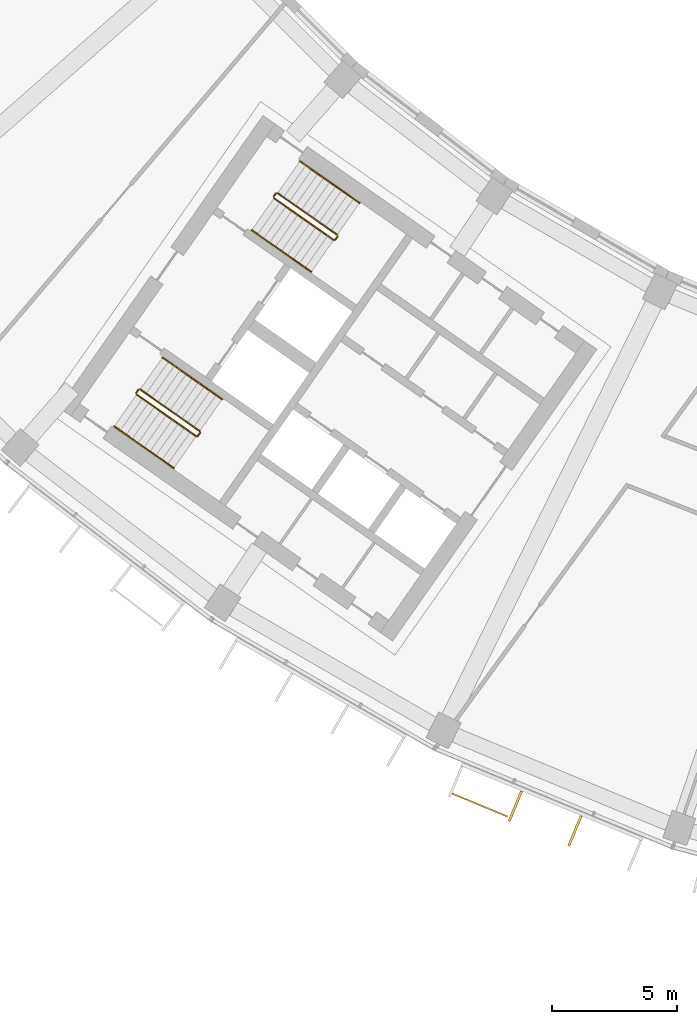
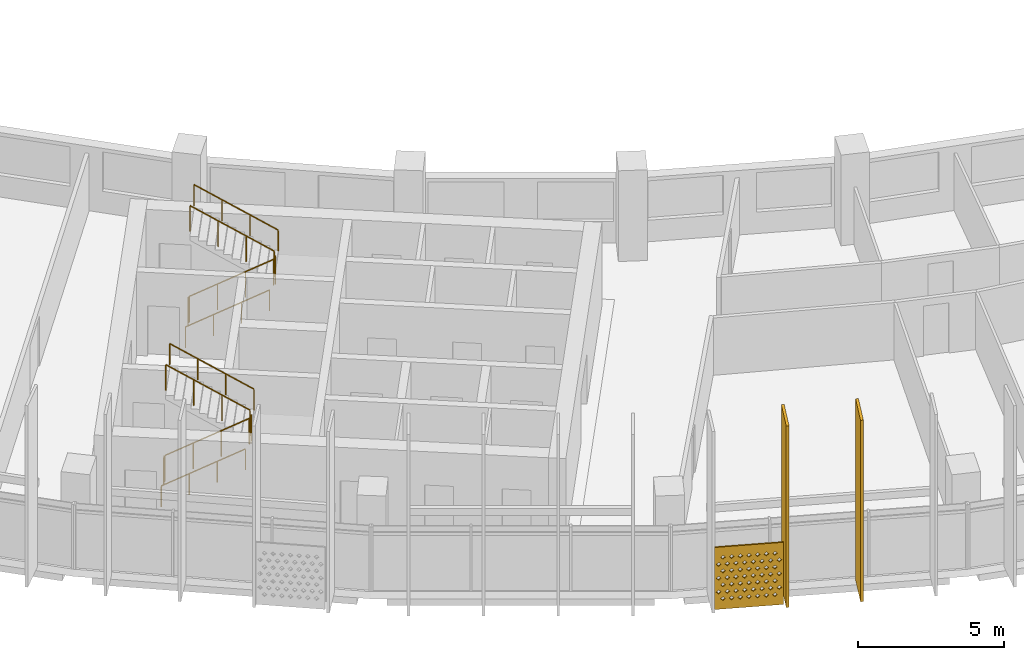
# One storey, part 24 of 28: 10 railings, 3 shading devices.
"""IFC4 building model written with IfcOpenShell, lengths in metres."""

from ifc_helpers import new_model, si_unit, direction, frame, origin, origin_2d, place, context, subcontext, project, spatial, polyline, rectangle, circle, outline, extrude, material, material_profile, profile_set, type_object, element, save


model = new_model("IFC4")

# Units and contexts
model_context = context("Model", 3, precision=1e-05, world=origin(), true_north=direction((0.0, 1.0)))
body_context = subcontext(model_context, "Body", "Model", "MODEL_VIEW")
ifc_project = project(units=[si_unit("LENGTHUNIT", "METRE"), si_unit("AREAUNIT", "SQUARE_METRE"), si_unit("VOLUMEUNIT", "CUBIC_METRE"), si_unit("PLANEANGLEUNIT", "RADIAN"), si_unit("MASSUNIT", "GRAM", prefix="KILO")], contexts=[model_context])

# Site, building, storey
site_placement = place(None, origin())
site = spatial("IfcSite", under=ifc_project, at=site_placement, CompositionType="ELEMENT")
building_placement = place(site_placement, origin())
building = spatial("IfcBuilding", under=site, at=building_placement, Name="Qamariyya Broadcast Tower", CompositionType="ELEMENT")
storey_placement = place(building_placement, frame((0.0, 0.0, 218.89990234375)))
storey = spatial("IfcBuildingStorey", under=building, at=storey_placement, Name="L52", CompositionType="ELEMENT", Elevation=218.89990234375)

# Shading device
ifc_material_1 = material(Name="Perforated glazed terracotta", Category="masonry")
ifc_material_profile_1 = material_profile(ifc_material_1, outline(polyline([(-1.199951171875, -1.300048828125), (1.199951171875, -1.300048828125), (1.199951171875, 1.300048828125), (-1.199951171875, 1.300048828125), (-1.199951171875, -1.300048828125)]), holes=[polyline([(-0.81494140625, -0.86669921875), (-0.89990234375, -0.78173828125), (-0.985107421875, -0.86669921875), (-0.89990234375, -0.95166015625), (-0.81494140625, -0.86669921875)]), polyline([(-0.514892578125, -0.86669921875), (-0.60009765625, -0.78173828125), (-0.68505859375, -0.86669921875), (-0.60009765625, -0.95166015625), (-0.514892578125, -0.86669921875)]), polyline([(-0.215087890625, -0.86669921875), (-0.300048828125, -0.78173828125), (-0.385009765625, -0.86669921875), (-0.300048828125, -0.95166015625), (-0.215087890625, -0.86669921875)]), polyline([(0.0849609375, -0.86669921875), (0.0, -0.78173828125), (-0.0849609375, -0.86669921875), (0.0, -0.95166015625), (0.0849609375, -0.86669921875)]), polyline([(0.385009765625, -0.86669921875), (0.300048828125, -0.78173828125), (0.215087890625, -0.86669921875), (0.300048828125, -0.95166015625), (0.385009765625, -0.86669921875)]), polyline([(0.68505859375, -0.86669921875), (0.60009765625, -0.78173828125), (0.514892578125, -0.86669921875), (0.60009765625, -0.95166015625), (0.68505859375, -0.86669921875)]), polyline([(0.985107421875, -0.86669921875), (0.89990234375, -0.78173828125), (0.81494140625, -0.86669921875), (0.89990234375, -0.95166015625), (0.985107421875, -0.86669921875)]), polyline([(-0.965087890625, -0.577880859375), (-1.050048828125, -0.49267578125), (-1.135009765625, -0.577880859375), (-1.050048828125, -0.662841796875), (-0.965087890625, -0.577880859375)]), polyline([(-0.6650390625, -0.577880859375), (-0.75, -0.49267578125), (-0.8349609375, -0.577880859375), (-0.75, -0.662841796875), (-0.6650390625, -0.577880859375)]), polyline([(-0.364990234375, -0.577880859375), (-0.449951171875, -0.49267578125), (-0.534912109375, -0.577880859375), (-0.449951171875, -0.662841796875), (-0.364990234375, -0.577880859375)]), polyline([(-0.06494140625, -0.577880859375), (-0.14990234375, -0.49267578125), (-0.235107421875, -0.577880859375), (-0.14990234375, -0.662841796875), (-0.06494140625, -0.577880859375)]), polyline([(0.235107421875, -0.577880859375), (0.14990234375, -0.49267578125), (0.06494140625, -0.577880859375), (0.14990234375, -0.662841796875), (0.235107421875, -0.577880859375)]), polyline([(0.534912109375, -0.577880859375), (0.449951171875, -0.49267578125), (0.364990234375, -0.577880859375), (0.449951171875, -0.662841796875), (0.534912109375, -0.577880859375)]), polyline([(0.8349609375, -0.577880859375), (0.75, -0.49267578125), (0.6650390625, -0.577880859375), (0.75, -0.662841796875), (0.8349609375, -0.577880859375)]), polyline([(1.135009765625, -0.577880859375), (1.050048828125, -0.49267578125), (0.965087890625, -0.577880859375), (1.050048828125, -0.662841796875), (1.135009765625, -0.577880859375)]), polyline([(-0.81494140625, -0.288818359375), (-0.89990234375, -0.203857421875), (-0.985107421875, -0.288818359375), (-0.89990234375, -0.373779296875), (-0.81494140625, -0.288818359375)]), polyline([(-0.514892578125, -0.288818359375), (-0.60009765625, -0.203857421875), (-0.68505859375, -0.288818359375), (-0.60009765625, -0.373779296875), (-0.514892578125, -0.288818359375)]), polyline([(-0.215087890625, -0.288818359375), (-0.300048828125, -0.203857421875), (-0.385009765625, -0.288818359375), (-0.300048828125, -0.373779296875), (-0.215087890625, -0.288818359375)]), polyline([(0.0849609375, -0.288818359375), (0.0, -0.203857421875), (-0.0849609375, -0.288818359375), (0.0, -0.373779296875), (0.0849609375, -0.288818359375)]), polyline([(0.385009765625, -0.288818359375), (0.300048828125, -0.203857421875), (0.215087890625, -0.288818359375), (0.300048828125, -0.373779296875), (0.385009765625, -0.288818359375)]), polyline([(0.68505859375, -0.288818359375), (0.60009765625, -0.203857421875), (0.514892578125, -0.288818359375), (0.60009765625, -0.373779296875), (0.68505859375, -0.288818359375)]), polyline([(0.985107421875, -0.288818359375), (0.89990234375, -0.203857421875), (0.81494140625, -0.288818359375), (0.89990234375, -0.373779296875), (0.985107421875, -0.288818359375)]), polyline([(-0.965087890625, 0.0), (-1.050048828125, 0.0849609375), (-1.135009765625, 0.0), (-1.050048828125, -0.0849609375), (-0.965087890625, 0.0)]), polyline([(-0.6650390625, 0.0), (-0.75, 0.0849609375), (-0.8349609375, 0.0), (-0.75, -0.0849609375), (-0.6650390625, 0.0)]), polyline([(-0.364990234375, 0.0), (-0.449951171875, 0.0849609375), (-0.534912109375, 0.0), (-0.449951171875, -0.0849609375), (-0.364990234375, 0.0)]), polyline([(-0.06494140625, 0.0), (-0.14990234375, 0.0849609375), (-0.235107421875, 0.0), (-0.14990234375, -0.0849609375), (-0.06494140625, 0.0)]), polyline([(0.235107421875, 0.0), (0.14990234375, 0.0849609375), (0.06494140625, 0.0), (0.14990234375, -0.0849609375), (0.235107421875, 0.0)]), polyline([(0.534912109375, 0.0), (0.449951171875, 0.0849609375), (0.364990234375, 0.0), (0.449951171875, -0.0849609375), (0.534912109375, 0.0)]), polyline([(0.8349609375, 0.0), (0.75, 0.0849609375), (0.6650390625, 0.0), (0.75, -0.0849609375), (0.8349609375, 0.0)]), polyline([(1.135009765625, 0.0), (1.050048828125, 0.0849609375), (0.965087890625, 0.0), (1.050048828125, -0.0849609375), (1.135009765625, 0.0)]), polyline([(-0.81494140625, 0.288818359375), (-0.89990234375, 0.373779296875), (-0.985107421875, 0.288818359375), (-0.89990234375, 0.203857421875), (-0.81494140625, 0.288818359375)]), polyline([(-0.514892578125, 0.288818359375), (-0.60009765625, 0.373779296875), (-0.68505859375, 0.288818359375), (-0.60009765625, 0.203857421875), (-0.514892578125, 0.288818359375)]), polyline([(-0.215087890625, 0.288818359375), (-0.300048828125, 0.373779296875), (-0.385009765625, 0.288818359375), (-0.300048828125, 0.203857421875), (-0.215087890625, 0.288818359375)]), polyline([(0.0849609375, 0.288818359375), (0.0, 0.373779296875), (-0.0849609375, 0.288818359375), (0.0, 0.203857421875), (0.0849609375, 0.288818359375)]), polyline([(0.385009765625, 0.288818359375), (0.300048828125, 0.373779296875), (0.215087890625, 0.288818359375), (0.300048828125, 0.203857421875), (0.385009765625, 0.288818359375)]), polyline([(0.68505859375, 0.288818359375), (0.60009765625, 0.373779296875), (0.514892578125, 0.288818359375), (0.60009765625, 0.203857421875), (0.68505859375, 0.288818359375)]), polyline([(0.985107421875, 0.288818359375), (0.89990234375, 0.373779296875), (0.81494140625, 0.288818359375), (0.89990234375, 0.203857421875), (0.985107421875, 0.288818359375)]), polyline([(-0.965087890625, 0.577880859375), (-1.050048828125, 0.662841796875), (-1.135009765625, 0.577880859375), (-1.050048828125, 0.49267578125), (-0.965087890625, 0.577880859375)]), polyline([(-0.6650390625, 0.577880859375), (-0.75, 0.662841796875), (-0.8349609375, 0.577880859375), (-0.75, 0.49267578125), (-0.6650390625, 0.577880859375)]), polyline([(-0.364990234375, 0.577880859375), (-0.449951171875, 0.662841796875), (-0.534912109375, 0.577880859375), (-0.449951171875, 0.49267578125), (-0.364990234375, 0.577880859375)]), polyline([(-0.06494140625, 0.577880859375), (-0.14990234375, 0.662841796875), (-0.235107421875, 0.577880859375), (-0.14990234375, 0.49267578125), (-0.06494140625, 0.577880859375)]), polyline([(0.235107421875, 0.577880859375), (0.14990234375, 0.662841796875), (0.06494140625, 0.577880859375), (0.14990234375, 0.49267578125), (0.235107421875, 0.577880859375)]), polyline([(0.534912109375, 0.577880859375), (0.449951171875, 0.662841796875), (0.364990234375, 0.577880859375), (0.449951171875, 0.49267578125), (0.534912109375, 0.577880859375)]), polyline([(0.8349609375, 0.577880859375), (0.75, 0.662841796875), (0.6650390625, 0.577880859375), (0.75, 0.49267578125), (0.8349609375, 0.577880859375)]), polyline([(1.135009765625, 0.577880859375), (1.050048828125, 0.662841796875), (0.965087890625, 0.577880859375), (1.050048828125, 0.49267578125), (1.135009765625, 0.577880859375)]), polyline([(-0.81494140625, 0.86669921875), (-0.89990234375, 0.95166015625), (-0.985107421875, 0.86669921875), (-0.89990234375, 0.78173828125), (-0.81494140625, 0.86669921875)]), polyline([(-0.514892578125, 0.86669921875), (-0.60009765625, 0.95166015625), (-0.68505859375, 0.86669921875), (-0.60009765625, 0.78173828125), (-0.514892578125, 0.86669921875)]), polyline([(-0.215087890625, 0.86669921875), (-0.300048828125, 0.95166015625), (-0.385009765625, 0.86669921875), (-0.300048828125, 0.78173828125), (-0.215087890625, 0.86669921875)]), polyline([(0.0849609375, 0.86669921875), (0.0, 0.95166015625), (-0.0849609375, 0.86669921875), (0.0, 0.78173828125), (0.0849609375, 0.86669921875)]), polyline([(0.385009765625, 0.86669921875), (0.300048828125, 0.95166015625), (0.215087890625, 0.86669921875), (0.300048828125, 0.78173828125), (0.385009765625, 0.86669921875)]), polyline([(0.68505859375, 0.86669921875), (0.60009765625, 0.95166015625), (0.514892578125, 0.86669921875), (0.60009765625, 0.78173828125), (0.68505859375, 0.86669921875)]), polyline([(0.985107421875, 0.86669921875), (0.89990234375, 0.95166015625), (0.81494140625, 0.86669921875), (0.89990234375, 0.78173828125), (0.985107421875, 0.86669921875)])]))
ifc_profile_set_1 = profile_set([ifc_material_profile_1], Name="Perforated glazed terracotta")
shading_device_type_1 = type_object("IfcShadingDeviceType", Name="Perforated terracotta screen 2400 x 2600", PredefinedType="USERDEFINED", material=ifc_profile_set_1)
shading_device_placement = place(storey_placement, frame((-32.928955078125, -72.682861328125, 1.35009765625), z_axis=(-0.382591441855, -0.923917630863, 0.0), x_axis=(0.923917630863, -0.382591441855, 0.0)))
element("IfcShadingDevice", 1, at=shading_device_placement, inside=storey, type_object=shading_device_type_1, Name="e-scr-L52-05-0", ObjectType="SCREEN", PredefinedType="USERDEFINED", context=body_context, shape_type="SweptSolid", body=[
    extrude(outline(polyline([(-1.199951171875, -1.300048828125), (1.199951171875, -1.300048828125), (1.199951171875, 1.300048828125), (-1.199951171875, 1.300048828125), (-1.199951171875, -1.300048828125)]), holes=[polyline([(-0.81494140625, -0.86669921875), (-0.89990234375, -0.78173828125), (-0.985107421875, -0.86669921875), (-0.89990234375, -0.95166015625), (-0.81494140625, -0.86669921875)]), polyline([(-0.514892578125, -0.86669921875), (-0.60009765625, -0.78173828125), (-0.68505859375, -0.86669921875), (-0.60009765625, -0.95166015625), (-0.514892578125, -0.86669921875)]), polyline([(-0.215087890625, -0.86669921875), (-0.300048828125, -0.78173828125), (-0.385009765625, -0.86669921875), (-0.300048828125, -0.95166015625), (-0.215087890625, -0.86669921875)]), polyline([(0.0849609375, -0.86669921875), (0.0, -0.78173828125), (-0.0849609375, -0.86669921875), (0.0, -0.95166015625), (0.0849609375, -0.86669921875)]), polyline([(0.385009765625, -0.86669921875), (0.300048828125, -0.78173828125), (0.215087890625, -0.86669921875), (0.300048828125, -0.95166015625), (0.385009765625, -0.86669921875)]), polyline([(0.68505859375, -0.86669921875), (0.60009765625, -0.78173828125), (0.514892578125, -0.86669921875), (0.60009765625, -0.95166015625), (0.68505859375, -0.86669921875)]), polyline([(0.985107421875, -0.86669921875), (0.89990234375, -0.78173828125), (0.81494140625, -0.86669921875), (0.89990234375, -0.95166015625), (0.985107421875, -0.86669921875)]), polyline([(-0.965087890625, -0.577880859375), (-1.050048828125, -0.49267578125), (-1.135009765625, -0.577880859375), (-1.050048828125, -0.662841796875), (-0.965087890625, -0.577880859375)]), polyline([(-0.6650390625, -0.577880859375), (-0.75, -0.49267578125), (-0.8349609375, -0.577880859375), (-0.75, -0.662841796875), (-0.6650390625, -0.577880859375)]), polyline([(-0.364990234375, -0.577880859375), (-0.449951171875, -0.49267578125), (-0.534912109375, -0.577880859375), (-0.449951171875, -0.662841796875), (-0.364990234375, -0.577880859375)]), polyline([(-0.06494140625, -0.577880859375), (-0.14990234375, -0.49267578125), (-0.235107421875, -0.577880859375), (-0.14990234375, -0.662841796875), (-0.06494140625, -0.577880859375)]), polyline([(0.235107421875, -0.577880859375), (0.14990234375, -0.49267578125), (0.06494140625, -0.577880859375), (0.14990234375, -0.662841796875), (0.235107421875, -0.577880859375)]), polyline([(0.534912109375, -0.577880859375), (0.449951171875, -0.49267578125), (0.364990234375, -0.577880859375), (0.449951171875, -0.662841796875), (0.534912109375, -0.577880859375)]), polyline([(0.8349609375, -0.577880859375), (0.75, -0.49267578125), (0.6650390625, -0.577880859375), (0.75, -0.662841796875), (0.8349609375, -0.577880859375)]), polyline([(1.135009765625, -0.577880859375), (1.050048828125, -0.49267578125), (0.965087890625, -0.577880859375), (1.050048828125, -0.662841796875), (1.135009765625, -0.577880859375)]), polyline([(-0.81494140625, -0.288818359375), (-0.89990234375, -0.203857421875), (-0.985107421875, -0.288818359375), (-0.89990234375, -0.373779296875), (-0.81494140625, -0.288818359375)]), polyline([(-0.514892578125, -0.288818359375), (-0.60009765625, -0.203857421875), (-0.68505859375, -0.288818359375), (-0.60009765625, -0.373779296875), (-0.514892578125, -0.288818359375)]), polyline([(-0.215087890625, -0.288818359375), (-0.300048828125, -0.203857421875), (-0.385009765625, -0.288818359375), (-0.300048828125, -0.373779296875), (-0.215087890625, -0.288818359375)]), polyline([(0.0849609375, -0.288818359375), (0.0, -0.203857421875), (-0.0849609375, -0.288818359375), (0.0, -0.373779296875), (0.0849609375, -0.288818359375)]), polyline([(0.385009765625, -0.288818359375), (0.300048828125, -0.203857421875), (0.215087890625, -0.288818359375), (0.300048828125, -0.373779296875), (0.385009765625, -0.288818359375)]), polyline([(0.68505859375, -0.288818359375), (0.60009765625, -0.203857421875), (0.514892578125, -0.288818359375), (0.60009765625, -0.373779296875), (0.68505859375, -0.288818359375)]), polyline([(0.985107421875, -0.288818359375), (0.89990234375, -0.203857421875), (0.81494140625, -0.288818359375), (0.89990234375, -0.373779296875), (0.985107421875, -0.288818359375)]), polyline([(-0.965087890625, 0.0), (-1.050048828125, 0.0849609375), (-1.135009765625, 0.0), (-1.050048828125, -0.0849609375), (-0.965087890625, 0.0)]), polyline([(-0.6650390625, 0.0), (-0.75, 0.0849609375), (-0.8349609375, 0.0), (-0.75, -0.0849609375), (-0.6650390625, 0.0)]), polyline([(-0.364990234375, 0.0), (-0.449951171875, 0.0849609375), (-0.534912109375, 0.0), (-0.449951171875, -0.0849609375), (-0.364990234375, 0.0)]), polyline([(-0.06494140625, 0.0), (-0.14990234375, 0.0849609375), (-0.235107421875, 0.0), (-0.14990234375, -0.0849609375), (-0.06494140625, 0.0)]), polyline([(0.235107421875, 0.0), (0.14990234375, 0.0849609375), (0.06494140625, 0.0), (0.14990234375, -0.0849609375), (0.235107421875, 0.0)]), polyline([(0.534912109375, 0.0), (0.449951171875, 0.0849609375), (0.364990234375, 0.0), (0.449951171875, -0.0849609375), (0.534912109375, 0.0)]), polyline([(0.8349609375, 0.0), (0.75, 0.0849609375), (0.6650390625, 0.0), (0.75, -0.0849609375), (0.8349609375, 0.0)]), polyline([(1.135009765625, 0.0), (1.050048828125, 0.0849609375), (0.965087890625, 0.0), (1.050048828125, -0.0849609375), (1.135009765625, 0.0)]), polyline([(-0.81494140625, 0.288818359375), (-0.89990234375, 0.373779296875), (-0.985107421875, 0.288818359375), (-0.89990234375, 0.203857421875), (-0.81494140625, 0.288818359375)]), polyline([(-0.514892578125, 0.288818359375), (-0.60009765625, 0.373779296875), (-0.68505859375, 0.288818359375), (-0.60009765625, 0.203857421875), (-0.514892578125, 0.288818359375)]), polyline([(-0.215087890625, 0.288818359375), (-0.300048828125, 0.373779296875), (-0.385009765625, 0.288818359375), (-0.300048828125, 0.203857421875), (-0.215087890625, 0.288818359375)]), polyline([(0.0849609375, 0.288818359375), (0.0, 0.373779296875), (-0.0849609375, 0.288818359375), (0.0, 0.203857421875), (0.0849609375, 0.288818359375)]), polyline([(0.385009765625, 0.288818359375), (0.300048828125, 0.373779296875), (0.215087890625, 0.288818359375), (0.300048828125, 0.203857421875), (0.385009765625, 0.288818359375)]), polyline([(0.68505859375, 0.288818359375), (0.60009765625, 0.373779296875), (0.514892578125, 0.288818359375), (0.60009765625, 0.203857421875), (0.68505859375, 0.288818359375)]), polyline([(0.985107421875, 0.288818359375), (0.89990234375, 0.373779296875), (0.81494140625, 0.288818359375), (0.89990234375, 0.203857421875), (0.985107421875, 0.288818359375)]), polyline([(-0.965087890625, 0.577880859375), (-1.050048828125, 0.662841796875), (-1.135009765625, 0.577880859375), (-1.050048828125, 0.49267578125), (-0.965087890625, 0.577880859375)]), polyline([(-0.6650390625, 0.577880859375), (-0.75, 0.662841796875), (-0.8349609375, 0.577880859375), (-0.75, 0.49267578125), (-0.6650390625, 0.577880859375)]), polyline([(-0.364990234375, 0.577880859375), (-0.449951171875, 0.662841796875), (-0.534912109375, 0.577880859375), (-0.449951171875, 0.49267578125), (-0.364990234375, 0.577880859375)]), polyline([(-0.06494140625, 0.577880859375), (-0.14990234375, 0.662841796875), (-0.235107421875, 0.577880859375), (-0.14990234375, 0.49267578125), (-0.06494140625, 0.577880859375)]), polyline([(0.235107421875, 0.577880859375), (0.14990234375, 0.662841796875), (0.06494140625, 0.577880859375), (0.14990234375, 0.49267578125), (0.235107421875, 0.577880859375)]), polyline([(0.534912109375, 0.577880859375), (0.449951171875, 0.662841796875), (0.364990234375, 0.577880859375), (0.449951171875, 0.49267578125), (0.534912109375, 0.577880859375)]), polyline([(0.8349609375, 0.577880859375), (0.75, 0.662841796875), (0.6650390625, 0.577880859375), (0.75, 0.49267578125), (0.8349609375, 0.577880859375)]), polyline([(1.135009765625, 0.577880859375), (1.050048828125, 0.662841796875), (0.965087890625, 0.577880859375), (1.050048828125, 0.49267578125), (1.135009765625, 0.577880859375)]), polyline([(-0.81494140625, 0.86669921875), (-0.89990234375, 0.95166015625), (-0.985107421875, 0.86669921875), (-0.89990234375, 0.78173828125), (-0.81494140625, 0.86669921875)]), polyline([(-0.514892578125, 0.86669921875), (-0.60009765625, 0.95166015625), (-0.68505859375, 0.86669921875), (-0.60009765625, 0.78173828125), (-0.514892578125, 0.86669921875)]), polyline([(-0.215087890625, 0.86669921875), (-0.300048828125, 0.95166015625), (-0.385009765625, 0.86669921875), (-0.300048828125, 0.78173828125), (-0.215087890625, 0.86669921875)]), polyline([(0.0849609375, 0.86669921875), (0.0, 0.95166015625), (-0.0849609375, 0.86669921875), (0.0, 0.78173828125), (0.0849609375, 0.86669921875)]), polyline([(0.385009765625, 0.86669921875), (0.300048828125, 0.95166015625), (0.215087890625, 0.86669921875), (0.300048828125, 0.78173828125), (0.385009765625, 0.86669921875)]), polyline([(0.68505859375, 0.86669921875), (0.60009765625, 0.95166015625), (0.514892578125, 0.86669921875), (0.60009765625, 0.78173828125), (0.68505859375, 0.86669921875)]), polyline([(0.985107421875, 0.86669921875), (0.89990234375, 0.95166015625), (0.81494140625, 0.86669921875), (0.89990234375, 0.78173828125), (0.985107421875, 0.86669921875)])]), origin(), (0.0, 0.0, 1.0), 0.06005859375),
])

# Railings
ifc_material_2 = material(Name="Painted steel", Category="steel")
railing_type_1 = type_object("IfcRailingType", Name="Stair guard", PredefinedType="GUARDRAIL", material=ifc_material_2)
railing_1_placement = place(storey_placement, frame((-41.146728515625, -48.52490234375, 0.1728515625)))
element("IfcRailing", 2, at=railing_1_placement, inside=storey, type_object=railing_type_1, Name="L52 ST-W2 stair guard 1", PredefinedType="GUARDRAIL", context=body_context, shape_type="SweptSolid", body=[
    extrude(circle(Radius=0.02392578125, at=origin_2d()), frame((0.0, 0.0, 1.076171875), z_axis=(0.703770094002, -0.492783725636, 0.511734163933), x_axis=(0.573575343427, 0.819152809562, 0.0)), (0.0, 0.0, 1.0), 3.37548828125),
    extrude(circle(Radius=0.02392578125, at=origin_2d()), frame((2.37548828125, -1.663330078125, 2.80322265625), z_axis=(0.985059694769, 0.172213233351, 0.0), x_axis=(-0.172213233351, 0.985059694769, 0.0)), (0.0, 0.0, 1.0), 0.07080078125),
    extrude(circle(Radius=0.02392578125, at=origin_2d()), frame((2.4453125, -1.651123046875, 2.80322265625), z_axis=(0.572588637393, 0.819842821722, 0.0), x_axis=(-0.819842821722, 0.572588637393, 0.0)), (0.0, 0.0, 1.0), 0.150146484375),
    extrude(circle(Radius=0.02099609375, at=origin_2d()), origin(), (0.0, 0.0, 1.0), 1.052001953125),
    extrude(circle(Radius=0.02099609375, at=origin_2d()), frame((0.791748046875, -0.554443359375, 0.57568359375)), (0.0, 0.0, 1.0), 1.052001953125),
    extrude(circle(Radius=0.02099609375, at=origin_2d()), frame((1.583740234375, -1.10888671875, 1.151611328125)), (0.0, 0.0, 1.0), 1.052001953125),
    extrude(circle(Radius=0.02099609375, at=origin_2d()), frame((2.37548828125, -1.663330078125, 1.727294921875)), (0.0, 0.0, 1.0), 1.052001953125),
    extrude(circle(Radius=0.02099609375, at=origin_2d()), frame((2.4453125, -1.651123046875, 1.727294921875)), (0.0, 0.0, 1.0), 1.052001953125),
    extrude(circle(Radius=0.02099609375, at=origin_2d()), frame((2.53125, -1.528076171875, 1.727294921875)), (0.0, 0.0, 1.0), 1.052001953125),
])
railing_2_placement = place(storey_placement, frame((-38.627685546875, -49.9833984375, 2.07275390625)))
element("IfcRailing", 3, at=railing_2_placement, inside=storey, type_object=railing_type_1, Name="L52 ST-W2 stair guard 2", PredefinedType="GUARDRAIL", context=body_context, shape_type="SweptSolid", body=[
    extrude(circle(Radius=0.02392578125, at=origin_2d()), frame((0.0, 0.0, 1.076171875), z_axis=(-0.703770094002, 0.492783725636, 0.511734163933), x_axis=(-0.573575343427, -0.819152809562, 0.0)), (0.0, 0.0, 1.0), 3.37548828125),
    extrude(circle(Radius=0.02099609375, at=origin_2d()), origin(), (0.0, 0.0, 1.0), 1.052001953125),
    extrude(circle(Radius=0.02099609375, at=origin_2d()), frame((-0.791748046875, 0.554443359375, 0.57568359375)), (0.0, 0.0, 1.0), 1.052001953125),
    extrude(circle(Radius=0.02099609375, at=origin_2d()), frame((-1.583740234375, 1.10888671875, 1.151611328125)), (0.0, 0.0, 1.0), 1.052001953125),
    extrude(circle(Radius=0.02099609375, at=origin_2d()), frame((-2.37548828125, 1.663330078125, 1.727294921875)), (0.0, 0.0, 1.0), 1.052001953125),
])
railing_3_placement = place(storey_placement, frame((-41.158935546875, -48.455322265625, 0.0)))
element("IfcRailing", 4, at=railing_3_placement, inside=storey, type_object=railing_type_1, Name="L52 ST-W2 stair guard 3", PredefinedType="GUARDRAIL", context=body_context, shape_type="SweptSolid", body=[
    extrude(circle(Radius=0.02392578125, at=origin_2d()), frame((0.0, 0.0, 1.076171875), z_axis=(0.572588637393, 0.819842821722, 0.0), x_axis=(-0.819842821722, 0.572588637393, 0.0)), (0.0, 0.0, 1.0), 0.150146484375),
    extrude(circle(Radius=0.02099609375, at=origin_2d()), origin(), (0.0, 0.0, 1.0), 1.052001953125),
    extrude(circle(Radius=0.02099609375, at=origin_2d()), frame((0.0859375, 0.123046875, 0.0)), (0.0, 0.0, 1.0), 1.052001953125),
])
railing_4_placement = place(storey_placement, frame((-46.624267578125, -56.34765625, 0.1728515625)))
element("IfcRailing", 5, at=railing_4_placement, inside=storey, type_object=railing_type_1, Name="L52 ST-W1 stair guard 1", PredefinedType="GUARDRAIL", context=body_context, shape_type="SweptSolid", body=[
    extrude(circle(Radius=0.02392578125, at=origin_2d()), frame((0.0, 0.0, 1.076171875), z_axis=(0.703745009021, -0.492838488332, 0.511715923826), x_axis=(0.573631830683, 0.819113253969, 0.0)), (0.0, 0.0, 1.0), 3.37548828125),
    extrude(circle(Radius=0.02392578125, at=origin_2d()), frame((2.37548828125, -1.66357421875, 2.80322265625), z_axis=(0.984363469884, 0.176149252506, 0.0), x_axis=(-0.176149252506, 0.984363469884, 0.0)), (0.0, 0.0, 1.0), 0.07080078125),
    extrude(circle(Radius=0.02392578125, at=origin_2d()), frame((2.445068359375, -1.651123046875, 2.80322265625), z_axis=(0.574444878118, 0.818543268254, 0.0), x_axis=(-0.818543268254, 0.574444878118, 0.0)), (0.0, 0.0, 1.0), 0.150146484375),
    extrude(circle(Radius=0.02099609375, at=origin_2d()), origin(), (0.0, 0.0, 1.0), 1.052001953125),
    extrude(circle(Radius=0.02099609375, at=origin_2d()), frame((0.791748046875, -0.554443359375, 0.57568359375)), (0.0, 0.0, 1.0), 1.052001953125),
    extrude(circle(Radius=0.02099609375, at=origin_2d()), frame((1.583740234375, -1.109130859375, 1.151611328125)), (0.0, 0.0, 1.0), 1.052001953125),
    extrude(circle(Radius=0.02099609375, at=origin_2d()), frame((2.37548828125, -1.66357421875, 1.727294921875)), (0.0, 0.0, 1.0), 1.052001953125),
    extrude(circle(Radius=0.02099609375, at=origin_2d()), frame((2.445068359375, -1.651123046875, 1.727294921875)), (0.0, 0.0, 1.0), 1.052001953125),
    extrude(circle(Radius=0.02099609375, at=origin_2d()), frame((2.53125, -1.5283203125, 1.727294921875)), (0.0, 0.0, 1.0), 1.052001953125),
])
railing_5_placement = place(storey_placement, frame((-44.10546875, -57.806396484375, 2.07275390625)))
element("IfcRailing", 6, at=railing_5_placement, inside=storey, type_object=railing_type_1, Name="L52 ST-W1 stair guard 2", PredefinedType="GUARDRAIL", context=body_context, shape_type="SweptSolid", body=[
    extrude(circle(Radius=0.02392578125, at=origin_2d()), frame((0.0, 0.0, 1.076171875), z_axis=(-0.703770094002, 0.492783725636, 0.511734163933), x_axis=(-0.573575343427, -0.819152809562, 0.0)), (0.0, 0.0, 1.0), 3.37548828125),
    extrude(circle(Radius=0.02099609375, at=origin_2d()), origin(), (0.0, 0.0, 1.0), 1.052001953125),
    extrude(circle(Radius=0.02099609375, at=origin_2d()), frame((-0.791748046875, 0.554443359375, 0.57568359375)), (0.0, 0.0, 1.0), 1.052001953125),
    extrude(circle(Radius=0.02099609375, at=origin_2d()), frame((-1.583740234375, 1.10888671875, 1.151611328125)), (0.0, 0.0, 1.0), 1.052001953125),
    extrude(circle(Radius=0.02099609375, at=origin_2d()), frame((-2.37548828125, 1.663330078125, 1.727294921875)), (0.0, 0.0, 1.0), 1.052001953125),
])
railing_6_placement = place(storey_placement, frame((-46.63671875, -56.278076171875, 0.0)))
element("IfcRailing", 7, at=railing_6_placement, inside=storey, type_object=railing_type_1, Name="L52 ST-W1 stair guard 3", PredefinedType="GUARDRAIL", context=body_context, shape_type="SweptSolid", body=[
    extrude(circle(Radius=0.02392578125, at=origin_2d()), frame((0.0, 0.0, 1.076171875), z_axis=(0.574444878118, 0.818543268254, 0.0), x_axis=(-0.818543268254, 0.574444878118, 0.0)), (0.0, 0.0, 1.0), 0.150146484375),
    extrude(circle(Radius=0.02099609375, at=origin_2d()), origin(), (0.0, 0.0, 1.0), 1.052001953125),
    extrude(circle(Radius=0.02099609375, at=origin_2d()), frame((0.086181640625, 0.122802734375, 0.0)), (0.0, 0.0, 1.0), 1.052001953125),
])
ifc_material_3 = material(Name="Stainless steel", Category="steel")
railing_type_2 = type_object("IfcRailingType", Name="Stair handrail", PredefinedType="HANDRAIL", material=ifc_material_3)
railing_7_placement = place(storey_placement, frame((-42.03564453125, -49.79443359375, 0.1728515625)))
element("IfcRailing", 8, at=railing_7_placement, inside=storey, type_object=railing_type_2, Name="L52 ST-W2 stair handrail 1", PredefinedType="HANDRAIL", context=body_context, shape_type="SweptSolid", body=[
    extrude(circle(Radius=0.02392578125, at=origin_2d()), frame((0.0, 0.0, 0.8759765625), z_axis=(0.703745009021, -0.492838488332, 0.511715923826), x_axis=(0.573631830683, 0.819113253969, 0.0)), (0.0, 0.0, 1.0), 3.37548828125),
    extrude(circle(Radius=0.02099609375, at=origin_2d()), origin(), (0.0, 0.0, 1.0), 0.851806640625),
    extrude(circle(Radius=0.02099609375, at=origin_2d()), frame((0.791748046875, -0.554443359375, 0.57568359375)), (0.0, 0.0, 1.0), 0.851806640625),
    extrude(circle(Radius=0.02099609375, at=origin_2d()), frame((1.583740234375, -1.109130859375, 1.151611328125)), (0.0, 0.0, 1.0), 0.851806640625),
    extrude(circle(Radius=0.02099609375, at=origin_2d()), frame((2.37548828125, -1.66357421875, 1.727294921875)), (0.0, 0.0, 1.0), 0.851806640625),
])
railing_8_placement = place(storey_placement, frame((-37.73876953125, -48.7138671875, 2.07275390625)))
element("IfcRailing", 9, at=railing_8_placement, inside=storey, type_object=railing_type_2, Name="L52 ST-W2 stair handrail 2", PredefinedType="HANDRAIL", context=body_context, shape_type="SweptSolid", body=[
    extrude(circle(Radius=0.02392578125, at=origin_2d()), frame((0.0, 0.0, 0.8759765625), z_axis=(-0.703745009021, 0.492838488332, 0.511715923826), x_axis=(-0.573631830683, -0.819113253969, 0.0)), (0.0, 0.0, 1.0), 3.37548828125),
    extrude(circle(Radius=0.02099609375, at=origin_2d()), origin(), (0.0, 0.0, 1.0), 0.851806640625),
    extrude(circle(Radius=0.02099609375, at=origin_2d()), frame((-0.791748046875, 0.554443359375, 0.57568359375)), (0.0, 0.0, 1.0), 0.851806640625),
    extrude(circle(Radius=0.02099609375, at=origin_2d()), frame((-1.583740234375, 1.109130859375, 1.151611328125)), (0.0, 0.0, 1.0), 0.851806640625),
    extrude(circle(Radius=0.02099609375, at=origin_2d()), frame((-2.37548828125, 1.66357421875, 1.727294921875)), (0.0, 0.0, 1.0), 0.851806640625),
])
railing_9_placement = place(storey_placement, frame((-47.513427734375, -57.617431640625, 0.1728515625)))
element("IfcRailing", 10, at=railing_9_placement, inside=storey, type_object=railing_type_2, Name="L52 ST-W1 stair handrail 1", PredefinedType="HANDRAIL", context=body_context, shape_type="SweptSolid", body=[
    extrude(circle(Radius=0.02392578125, at=origin_2d()), frame((0.0, 0.0, 0.8759765625), z_axis=(0.703770094002, -0.492783725636, 0.511734163933), x_axis=(0.573575343427, 0.819152809562, 0.0)), (0.0, 0.0, 1.0), 3.37548828125),
    extrude(circle(Radius=0.02099609375, at=origin_2d()), origin(), (0.0, 0.0, 1.0), 0.851806640625),
    extrude(circle(Radius=0.02099609375, at=origin_2d()), frame((0.791748046875, -0.554443359375, 0.57568359375)), (0.0, 0.0, 1.0), 0.851806640625),
    extrude(circle(Radius=0.02099609375, at=origin_2d()), frame((1.583740234375, -1.10888671875, 1.151611328125)), (0.0, 0.0, 1.0), 0.851806640625),
    extrude(circle(Radius=0.02099609375, at=origin_2d()), frame((2.37548828125, -1.663330078125, 1.727294921875)), (0.0, 0.0, 1.0), 0.851806640625),
])
railing_10_placement = place(storey_placement, frame((-43.21630859375, -56.53662109375, 2.07275390625)))
element("IfcRailing", 11, at=railing_10_placement, inside=storey, type_object=railing_type_2, Name="L52 ST-W1 stair handrail 2", PredefinedType="HANDRAIL", context=body_context, shape_type="SweptSolid", body=[
    extrude(circle(Radius=0.02392578125, at=origin_2d()), frame((0.0, 0.0, 0.8759765625), z_axis=(-0.703770094002, 0.492783725636, 0.511734163933), x_axis=(-0.573575343427, -0.819152809562, 0.0)), (0.0, 0.0, 1.0), 3.37548828125),
    extrude(circle(Radius=0.02099609375, at=origin_2d()), origin(), (0.0, 0.0, 1.0), 0.851806640625),
    extrude(circle(Radius=0.02099609375, at=origin_2d()), frame((-0.791748046875, 0.554443359375, 0.57568359375)), (0.0, 0.0, 1.0), 0.851806640625),
    extrude(circle(Radius=0.02099609375, at=origin_2d()), frame((-1.583740234375, 1.10888671875, 1.151611328125)), (0.0, 0.0, 1.0), 0.851806640625),
    extrude(circle(Radius=0.02099609375, at=origin_2d()), frame((-2.37548828125, 1.663330078125, 1.727294921875)), (0.0, 0.0, 1.0), 0.851806640625),
])

# Shading devices
ifc_material_4 = material(Name="Glazed terracotta", Category="masonry")
ifc_material_profile_2 = material_profile(ifc_material_4, rectangle(XDim=1.300048828125, YDim=0.10009765625, at=origin_2d()))
ifc_profile_set_2 = profile_set([ifc_material_profile_2], Name="Glazed terracotta")
shading_device_type_2 = type_object("IfcShadingDeviceType", Name="Terracotta fin 100 x 1300", PredefinedType="USERDEFINED", material=ifc_profile_set_2)
for number, where, z_axis, x_axis, name in (
    (12, (-31.52783203125, -72.754638671875, 0.0), (0.0, 0.0, 1.0), (-0.382683432365, -0.923879532511, 0.0), "e-fin-L52-05-1"),
    (13, (-29.151611328125, -73.73876953125, 0.0), (0.0, 0.0, 1.0), (-0.382683432365, -0.923879532511, 0.0), "e-fin-L52-05-2"),
):
    element("IfcShadingDevice", number, at=place(storey_placement, frame(where, z_axis=z_axis, x_axis=x_axis)), inside=storey, type_object=shading_device_type_2, Name=name, ObjectType="FIN", PredefinedType="USERDEFINED", context=body_context, shape_type="SweptSolid", body=[
        extrude(rectangle(XDim=1.300048828125, YDim=0.10009765625, at=origin_2d()), origin(), (0.0, 0.0, 1.0), 7.60009765625),
    ])

save(model, "model.ifc")
